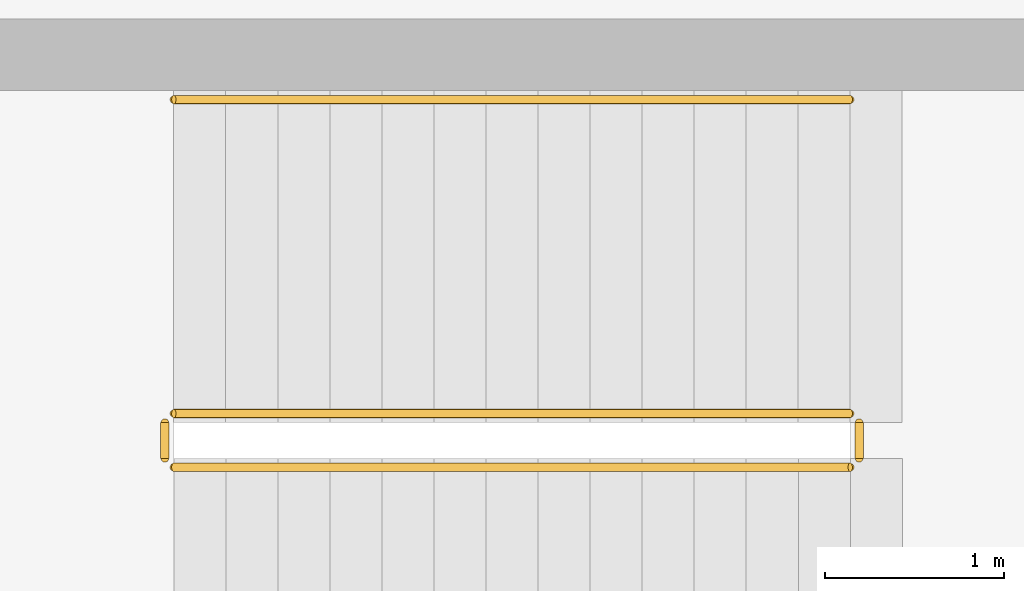
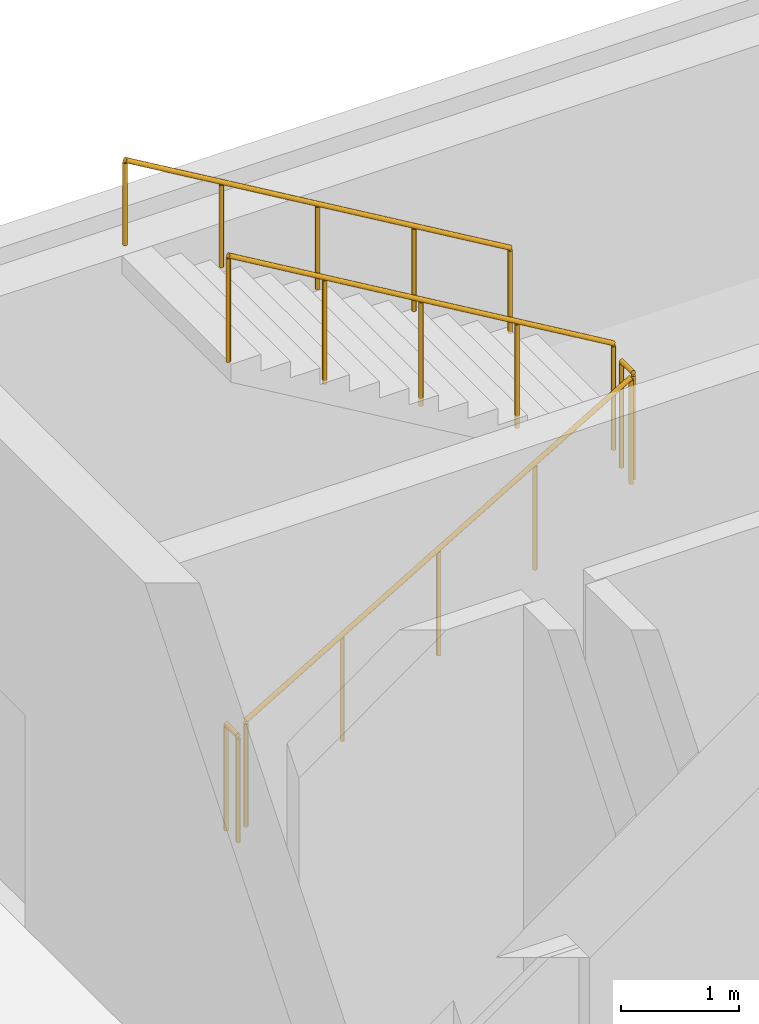
# One storey, part 88 of 91: 5 railings.
"""IFC4 building model written with IfcOpenShell, lengths in metres."""

from ifc_helpers import new_model, si_unit, direction, frame, origin, origin_2d, place, context, subcontext, project, spatial, circle, extrude, material, type_object, element, save


model = new_model("IFC4")

# Units and contexts
model_context = context("Model", 3, precision=1e-05, world=origin(), true_north=direction((0.0, 1.0)))
body_context = subcontext(model_context, "Body", "Model", "MODEL_VIEW")
ifc_project = project(units=[si_unit("LENGTHUNIT", "METRE"), si_unit("AREAUNIT", "SQUARE_METRE"), si_unit("VOLUMEUNIT", "CUBIC_METRE"), si_unit("PLANEANGLEUNIT", "RADIAN"), si_unit("MASSUNIT", "GRAM", prefix="KILO")], contexts=[model_context])

# Site, building, storey
site_placement = place(None, origin())
site = spatial("IfcSite", under=ifc_project, at=site_placement, CompositionType="ELEMENT")
building_placement = place(site_placement, origin())
building = spatial("IfcBuilding", under=site, at=building_placement, Name="Sollismere Congress Hotel", CompositionType="ELEMENT")
storey_placement = place(building_placement, frame((0.0, 0.0, 10.800048828125)))
storey = spatial("IfcBuildingStorey", under=building, at=storey_placement, Name="L02", CompositionType="ELEMENT", Elevation=10.800048828125)

# Railings
ifc_material_1 = material(Name="Steel ASTM A500 Grade C", Category="steel")
railing_type_1 = type_object("IfcRailingType", Name="RL-GRD112", PredefinedType="GUARDRAIL", material=ifc_material_1)
railing_1_placement = place(storey_placement, frame((95.85009765625, 16.25, 0.17138671875)))
element("IfcRailing", 1, at=railing_1_placement, inside=storey, type_object=railing_type_1, Name="RLG-RG-ST-02-L02-1", PredefinedType="GUARDRAIL", context=body_context, shape_type="SweptSolid", body=[
    extrude(circle(Radius=0.02392578125, at=origin_2d()), frame((0.0, 0.0, 1.09619140625), z_axis=(0.860848830602, 0.0, 0.508860777473), x_axis=(0.0, 1.0, 0.0)), (0.0, 0.0, 1.0), 4.37939453125),
    extrude(circle(Radius=0.02099609375, at=origin_2d()), origin(), (0.0, 0.0, 1.0), 1.072021484375),
    extrude(circle(Radius=0.02099609375, at=origin_2d()), frame((0.9423828125, 0.0, 0.55712890625)), (0.0, 0.0, 1.0), 1.072021484375),
    extrude(circle(Radius=0.02099609375, at=origin_2d()), frame((1.885009765625, 0.0, 1.1142578125)), (0.0, 0.0, 1.0), 1.072021484375),
    extrude(circle(Radius=0.02099609375, at=origin_2d()), frame((2.82763671875, 0.0, 1.67138671875)), (0.0, 0.0, 1.0), 1.072021484375),
    extrude(circle(Radius=0.02099609375, at=origin_2d()), frame((3.77001953125, 0.0, 2.228515625)), (0.0, 0.0, 1.0), 1.072021484375),
])
railing_2_placement = place(storey_placement, frame((99.669921875, 16.300048828125, 2.39990234375)))
element("IfcRailing", 2, at=railing_2_placement, inside=storey, type_object=railing_type_1, Name="RLG-RG-ST-02-L02-2", PredefinedType="GUARDRAIL", context=body_context, shape_type="SweptSolid", body=[
    extrude(circle(Radius=0.02392578125, at=origin_2d()), frame((0.0, 0.0, 1.09619140625), z_axis=(0.0, 1.0, 0.0), x_axis=(-1.0, 0.0, 0.0)), (0.0, 0.0, 1.0), 0.199951171875),
    extrude(circle(Radius=0.02099609375, at=origin_2d()), origin(), (0.0, 0.0, 1.0), 1.072021484375),
    extrude(circle(Radius=0.02099609375, at=origin_2d()), frame((0.0, 0.199951171875, 0.0)), (0.0, 0.0, 1.0), 1.072021484375),
])
railing_3_placement = place(storey_placement, frame((99.6201171875, 16.550048828125, 2.5712890625)))
element("IfcRailing", 3, at=railing_3_placement, inside=storey, type_object=railing_type_1, Name="RLG-RG-ST-02-L02-3", PredefinedType="GUARDRAIL", context=body_context, shape_type="SweptSolid", body=[
    extrude(circle(Radius=0.02392578125, at=origin_2d()), frame((0.0, 0.0, 1.09619140625), z_axis=(-0.860824410104, 0.0, 0.508902087802), x_axis=(0.0, -1.0, 0.0)), (0.0, 0.0, 1.0), 4.379638671875),
    extrude(circle(Radius=0.02099609375, at=origin_2d()), origin(), (0.0, 0.0, 1.0), 1.072021484375),
    extrude(circle(Radius=0.02099609375, at=origin_2d()), frame((-0.9423828125, 0.0, 0.55712890625)), (0.0, 0.0, 1.0), 1.072021484375),
    extrude(circle(Radius=0.02099609375, at=origin_2d()), frame((-1.885009765625, 0.0, 1.1142578125)), (0.0, 0.0, 1.0), 1.072021484375),
    extrude(circle(Radius=0.02099609375, at=origin_2d()), frame((-2.82763671875, 0.0, 1.671630859375)), (0.0, 0.0, 1.0), 1.072021484375),
    extrude(circle(Radius=0.02099609375, at=origin_2d()), frame((-3.77001953125, 0.0, 2.228759765625)), (0.0, 0.0, 1.0), 1.072021484375),
])
railing_4_placement = place(storey_placement, frame((95.800048828125, 16.300048828125, 0.0)))
element("IfcRailing", 4, at=railing_4_placement, inside=storey, type_object=railing_type_1, Name="RLG-RG-ST-02-L02-4", PredefinedType="GUARDRAIL", context=body_context, shape_type="SweptSolid", body=[
    extrude(circle(Radius=0.02392578125, at=origin_2d()), frame((0.0, 0.0, 1.09619140625), z_axis=(0.0, 1.0, 0.0), x_axis=(-1.0, 0.0, 0.0)), (0.0, 0.0, 1.0), 0.199951171875),
    extrude(circle(Radius=0.02099609375, at=origin_2d()), origin(), (0.0, 0.0, 1.0), 1.072021484375),
    extrude(circle(Radius=0.02099609375, at=origin_2d()), frame((0.0, 0.199951171875, 0.0)), (0.0, 0.0, 1.0), 1.072021484375),
])
ifc_material_2 = material(Name="Brushed Architectural Bronze")
railing_type_2 = type_object("IfcRailingType", Name="RL-HND90", PredefinedType="HANDRAIL", material=ifc_material_2)
railing_5_placement = place(storey_placement, frame((99.6201171875, 18.300048828125, 2.71875)))
element("IfcRailing", 5, at=railing_5_placement, inside=storey, type_object=railing_type_2, Name="RLG-RH-ST-02-L02-2", PredefinedType="HANDRAIL", context=body_context, shape_type="SweptSolid", body=[
    extrude(circle(Radius=0.02392578125, at=origin_2d()), frame((0.0, 0.0, 0.8759765625), z_axis=(-0.860848830602, 0.0, 0.508860777473), x_axis=(0.0, -1.0, 0.0)), (0.0, 0.0, 1.0), 4.37939453125),
    extrude(circle(Radius=0.02099609375, at=origin_2d()), origin(), (0.0, 0.0, 1.0), 0.851806640625),
    extrude(circle(Radius=0.02099609375, at=origin_2d()), frame((-0.9423828125, 0.0, 0.55712890625)), (0.0, 0.0, 1.0), 0.851806640625),
    extrude(circle(Radius=0.02099609375, at=origin_2d()), frame((-1.885009765625, 0.0, 1.1142578125)), (0.0, 0.0, 1.0), 0.851806640625),
    extrude(circle(Radius=0.02099609375, at=origin_2d()), frame((-2.82763671875, 0.0, 1.67138671875)), (0.0, 0.0, 1.0), 0.851806640625),
    extrude(circle(Radius=0.02099609375, at=origin_2d()), frame((-3.77001953125, 0.0, 2.228515625)), (0.0, 0.0, 1.0), 0.851806640625),
])

save(model, "model.ifc")
